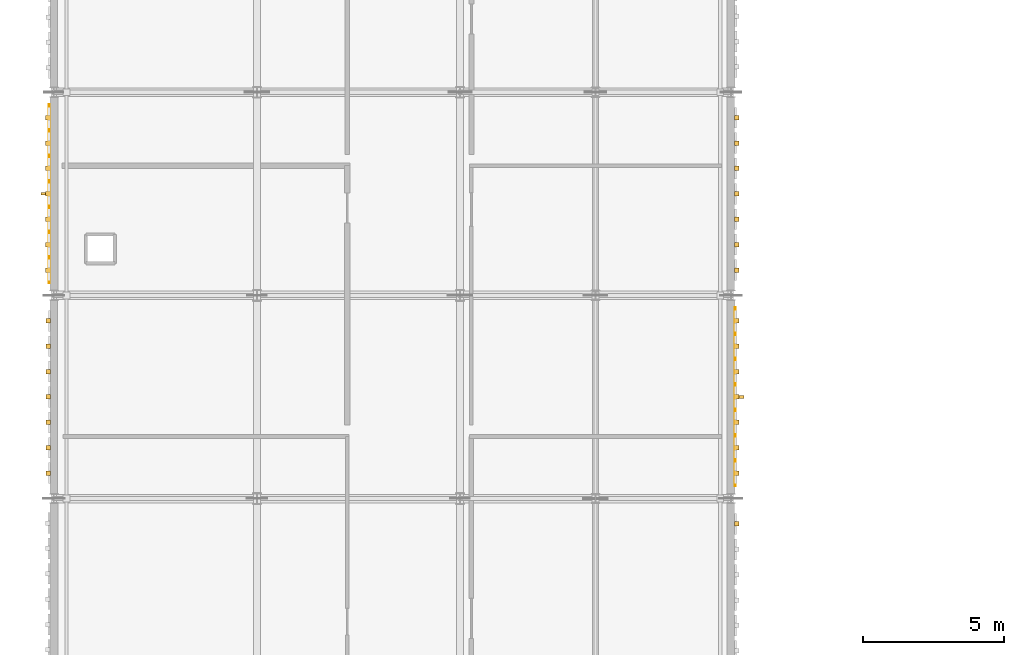
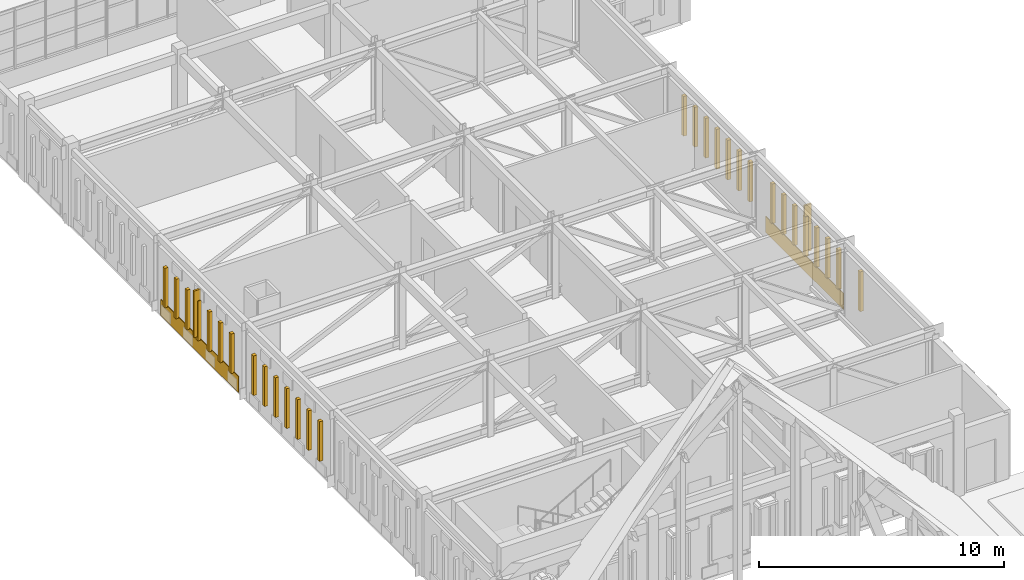
# One storey, part 65 of 79: 31 coverings, 2 shading devices.
"""IFC4 building model written with IfcOpenShell, lengths in metres."""

from ifc_helpers import new_model, si_unit, direction, frame, origin, origin_2d, place, context, subcontext, project, spatial, rectangle, extrude, material, layer, layer_set, type_object, element, save


model = new_model("IFC4")

# Units and contexts
model_context = context("Model", 3, precision=1e-05, world=origin(), true_north=direction((0.0, 1.0)))
body_context = subcontext(model_context, "Body", "Model", "MODEL_VIEW")
ifc_project = project(units=[si_unit("LENGTHUNIT", "METRE"), si_unit("AREAUNIT", "SQUARE_METRE"), si_unit("VOLUMEUNIT", "CUBIC_METRE"), si_unit("PLANEANGLEUNIT", "RADIAN"), si_unit("MASSUNIT", "GRAM", prefix="KILO")], contexts=[model_context])

# Site, building, storey
site_placement = place(None, origin())
site = spatial("IfcSite", under=ifc_project, at=site_placement, CompositionType="ELEMENT")
building_placement = place(site_placement, origin())
building = spatial("IfcBuilding", under=site, at=building_placement, Name="Nzembalo Square Collegiate School", CompositionType="ELEMENT")
storey_placement = place(building_placement, frame((0.0, 0.0, 9.52001953125)))
storey = spatial("IfcBuildingStorey", under=building, at=storey_placement, Name="L02", CompositionType="ELEMENT", Elevation=9.52001953125)

# Coverings
ifc_material_1 = material(Name="Glazed cobalt ceramic patterned tile")
ifc_layer_1 = layer(ifc_material_1, 0.074951171875, Name="Glazed cobalt ceramic patterned tile")
ifc_layer_set_1 = layer_set([ifc_layer_1], Name="Glazed cobalt ceramic patterned tile")
covering_type_1 = type_object("IfcCoveringType", Name="CL01", PredefinedType="CLADDING", material=ifc_layer_set_1)
for number, where, z_axis, x_axis, name in (
    (1, (8.242431640625, 68.39990234375, 0.02001953125), (0.0, 0.0, 1.0), (1.0, 0.0, 0.0), "Faience spandrel cladding CL01-0184"),
    (2, (32.5576171875, 61.199951171875, 0.02001953125), (0.0, 0.0, 1.0), (1.0, 0.0, 0.0), "Faience spandrel cladding CL01-0192"),
):
    element("IfcCovering", number, at=place(storey_placement, frame(where, z_axis=z_axis, x_axis=x_axis)), inside=storey, type_object=covering_type_1, Name=name, PredefinedType="CLADDING", context=body_context, shape_type="SweptSolid", body=[
        extrude(rectangle(XDim=0.034912109375, YDim=6.345947265625, at=origin_2d()), origin(), (0.0, 0.0, 1.0), 0.800048828125),
    ])
ifc_material_2 = material(Name="Glazed ochre ceramic lancet rib")
ifc_layer_2 = layer(ifc_material_2, 0.159912109375, Name="Glazed ochre ceramic lancet rib")
ifc_layer_set_2 = layer_set([ifc_layer_2], Name="Glazed ochre ceramic lancet rib")
covering_type_2 = type_object("IfcCoveringType", Name="CL02", PredefinedType="CLADDING", material=ifc_layer_set_2)
for number, where, z_axis, x_axis, name in (
    (3, (8.197509765625, 58.5, 0.760009765625), (0.0, 0.0, 1.0), (1.0, 0.0, 0.0), "Gothic ceramic rib CL02-Y0183-0"),
    (4, (8.197509765625, 59.39990234375, 0.760009765625), (0.0, 0.0, 1.0), (1.0, 0.0, 0.0), "Gothic ceramic rib CL02-Y0183-1"),
    (5, (8.197509765625, 60.300048828125, 0.760009765625), (0.0, 0.0, 1.0), (1.0, 0.0, 0.0), "Gothic ceramic rib CL02-Y0183-2"),
    (6, (8.197509765625, 61.199951171875, 0.760009765625), (0.0, 0.0, 1.0), (1.0, 0.0, 0.0), "Gothic ceramic rib CL02-Y0183-3"),
    (7, (8.197509765625, 62.10009765625, 0.760009765625), (0.0, 0.0, 1.0), (1.0, 0.0, 0.0), "Gothic ceramic rib CL02-Y0183-4"),
    (8, (8.197509765625, 63.0, 0.760009765625), (0.0, 0.0, 1.0), (1.0, 0.0, 0.0), "Gothic ceramic rib CL02-Y0183-5"),
    (9, (8.197509765625, 63.89990234375, 0.760009765625), (0.0, 0.0, 1.0), (1.0, 0.0, 0.0), "Gothic ceramic rib CL02-Y0183-6"),
    (10, (8.1875, 65.699951171875, 0.760009765625), (0.0, 0.0, 1.0), (1.0, 0.0, 0.0), "Gothic ceramic rib CL02-Y0184-0"),
    (11, (8.1875, 66.60009765625, 0.760009765625), (0.0, 0.0, 1.0), (1.0, 0.0, 0.0), "Gothic ceramic rib CL02-Y0184-1"),
    (12, (8.1875, 67.5, 0.760009765625), (0.0, 0.0, 1.0), (1.0, 0.0, 0.0), "Gothic ceramic rib CL02-Y0184-2"),
    (13, (8.1875, 68.39990234375, 0.760009765625), (0.0, 0.0, 1.0), (1.0, 0.0, 0.0), "Gothic ceramic rib CL02-Y0184-3"),
    (14, (8.1875, 69.300048828125, 0.760009765625), (0.0, 0.0, 1.0), (1.0, 0.0, 0.0), "Gothic ceramic rib CL02-Y0184-4"),
    (15, (8.1875, 70.199951171875, 0.760009765625), (0.0, 0.0, 1.0), (1.0, 0.0, 0.0), "Gothic ceramic rib CL02-Y0184-5"),
    (16, (8.1875, 71.10009765625, 0.760009765625), (0.0, 0.0, 1.0), (1.0, 0.0, 0.0), "Gothic ceramic rib CL02-Y0184-6"),
    (17, (32.6025390625, 56.699951171875, 0.760009765625), (0.0, 0.0, 1.0), (1.0, 0.0, 0.0), "Gothic ceramic rib CL02-Y0191-6"),
    (18, (32.612548828125, 58.5, 0.760009765625), (0.0, 0.0, 1.0), (1.0, 0.0, 0.0), "Gothic ceramic rib CL02-Y0192-0"),
    (19, (32.612548828125, 59.39990234375, 0.760009765625), (0.0, 0.0, 1.0), (1.0, 0.0, 0.0), "Gothic ceramic rib CL02-Y0192-1"),
    (20, (32.612548828125, 60.300048828125, 0.760009765625), (0.0, 0.0, 1.0), (1.0, 0.0, 0.0), "Gothic ceramic rib CL02-Y0192-2"),
    (21, (32.612548828125, 61.199951171875, 0.760009765625), (0.0, 0.0, 1.0), (1.0, 0.0, 0.0), "Gothic ceramic rib CL02-Y0192-3"),
    (22, (32.612548828125, 62.10009765625, 0.760009765625), (0.0, 0.0, 1.0), (1.0, 0.0, 0.0), "Gothic ceramic rib CL02-Y0192-4"),
    (23, (32.612548828125, 63.0, 0.760009765625), (0.0, 0.0, 1.0), (1.0, 0.0, 0.0), "Gothic ceramic rib CL02-Y0192-5"),
    (24, (32.612548828125, 63.89990234375, 0.760009765625), (0.0, 0.0, 1.0), (1.0, 0.0, 0.0), "Gothic ceramic rib CL02-Y0192-6"),
    (25, (32.6025390625, 65.699951171875, 0.760009765625), (0.0, 0.0, 1.0), (1.0, 0.0, 0.0), "Gothic ceramic rib CL02-Y0193-0"),
    (26, (32.6025390625, 66.60009765625, 0.760009765625), (0.0, 0.0, 1.0), (1.0, 0.0, 0.0), "Gothic ceramic rib CL02-Y0193-1"),
    (27, (32.6025390625, 67.5, 0.760009765625), (0.0, 0.0, 1.0), (1.0, 0.0, 0.0), "Gothic ceramic rib CL02-Y0193-2"),
    (28, (32.6025390625, 68.39990234375, 0.760009765625), (0.0, 0.0, 1.0), (1.0, 0.0, 0.0), "Gothic ceramic rib CL02-Y0193-3"),
    (29, (32.6025390625, 69.300048828125, 0.760009765625), (0.0, 0.0, 1.0), (1.0, 0.0, 0.0), "Gothic ceramic rib CL02-Y0193-4"),
    (30, (32.6025390625, 70.199951171875, 0.760009765625), (0.0, 0.0, 1.0), (1.0, 0.0, 0.0), "Gothic ceramic rib CL02-Y0193-5"),
    (31, (32.6025390625, 71.10009765625, 0.760009765625), (0.0, 0.0, 1.0), (1.0, 0.0, 0.0), "Gothic ceramic rib CL02-Y0193-6"),
):
    element("IfcCovering", number, at=place(storey_placement, frame(where, z_axis=z_axis, x_axis=x_axis)), inside=storey, type_object=covering_type_2, Name=name, PredefinedType="CLADDING", context=body_context, shape_type="SweptSolid", body=[
        extrude(rectangle(XDim=0.159912109375, YDim=0.159912109375, at=origin_2d()), origin(), (0.0, 0.0, 1.0), 1.97900390625),
    ])

# Shading devices
ifc_material_3 = material(Name="Glazed ochre ceramic vertical fin")
shading_device_type = type_object("IfcShadingDeviceType", Name="JL01", PredefinedType="JALOUSIE", material=ifc_material_3)
for number, where, z_axis, x_axis, name in (
    (32, (8.1025390625, 68.39990234375, 0.949951171875), (0.0, 0.0, 1.0), (1.0, 0.0, 0.0), "Ceramic fin JL01-0184"),
    (33, (32.697509765625, 61.199951171875, 0.949951171875), (0.0, 0.0, 1.0), (1.0, 0.0, 0.0), "Ceramic fin JL01-0192"),
):
    element("IfcShadingDevice", number, at=place(storey_placement, frame(where, z_axis=z_axis, x_axis=x_axis)), inside=storey, type_object=shading_device_type, Name=name, PredefinedType="JALOUSIE", context=body_context, shape_type="SweptSolid", body=[
        extrude(rectangle(XDim=0.320068359375, YDim=0.090087890625, at=origin_2d()), origin(), (0.0, 0.0, 1.0), 2.3291015625),
    ])

save(model, "model.ifc")
